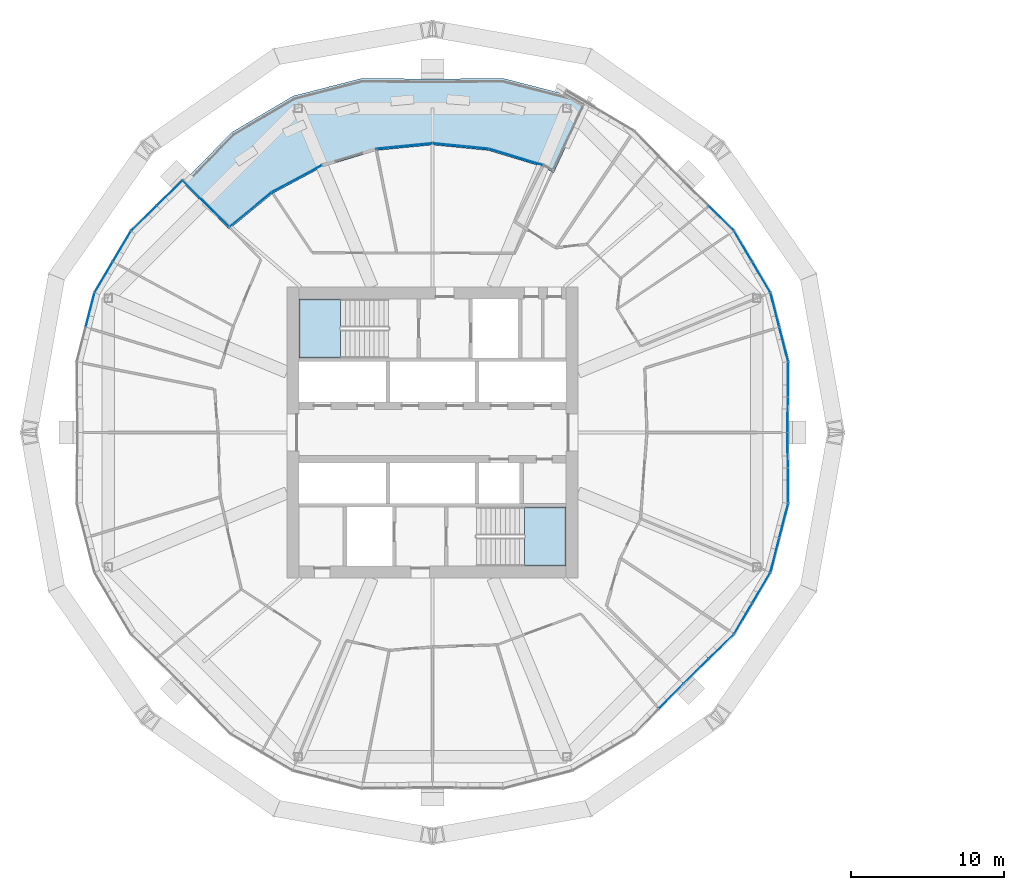
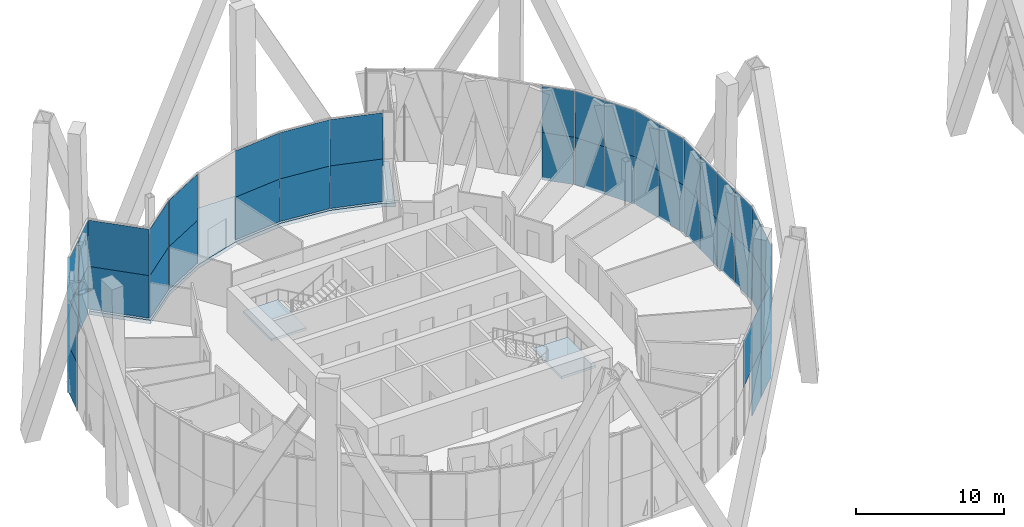
# One storey, part 18 of 31: 53 plates, 3 slabs, 9 elements without a shape of their own.
"""IFC4 building model written with IfcOpenShell, lengths in metres."""

import ifcopenshell
import ifcopenshell.guid

model = None  # the IFC model being written
_history = None  # IfcOwnerHistory: only IFC2X3 demands one
_inside = {}  # id of a spatial element -> (the spatial element, [elements in it])
_under = {}  # id of a project, library or spatial element -> (it, [spatial elements below it])
_declared = {}  # id of a project -> (the project, [libraries it declares])
_typed = {}  # id of a type object -> (the type object, [elements of that type])
_made_of = {}  # id of a material, layer set ... -> (it, [elements and type objects made of it])


def new_model(schema):
    """Start an empty IFC model of exactly this schema.

    Asked for "IFC4X3", IfcOpenShell would pick the latest addendum, in which some entities
    have other attributes; the version numbers below select the first issue.
    IFC2X3 requires an IfcOwnerHistory on every rooted entity: one is made here for all.
    """
    global model, _history
    if schema == "IFC4X3":
        model = ifcopenshell.file(schema_version=(4, 3, 0, 0))
    else:
        model = ifcopenshell.file(schema=schema)
    _inside.clear()
    _under.clear()
    _declared.clear()
    _typed.clear()
    _made_of.clear()
    _history = None
    if model.schema == "IFC2X3":
        org = make("IfcOrganization", Name="unknown")
        user = make(
            "IfcPersonAndOrganization",
            ThePerson=make("IfcPerson", FamilyName="unknown"),
            TheOrganization=org,
        )
        app = make(
            "IfcApplication",
            ApplicationDeveloper=org,
            Version="unknown",
            ApplicationFullName="unknown",
            ApplicationIdentifier="unknown",
        )
        _history = make(
            "IfcOwnerHistory",
            OwningUser=user,
            OwningApplication=app,
            ChangeAction="ADDED",
            CreationDate=0,
        )
    return model


def make(cls, **values):
    """One entity of the class cls with the attributes given. An attribute that is None is left unset."""
    return model.create_entity(
        cls, **{name: value for name, value in values.items() if value is not None}
    )


def rooted(cls, **values):
    """An entity with a GlobalId (a new one), such as an element, a storey or a relation."""
    return make(cls, GlobalId=ifcopenshell.guid.new(), OwnerHistory=_history, **values)


def si_unit(unit_type, name, prefix=None):
    """IfcSIUnit, for example si_unit("LENGTHUNIT", "METRE", prefix="MILLI")."""
    return make("IfcSIUnit", UnitType=unit_type, Prefix=prefix, Name=name)


def assignment(units):
    """IfcUnitAssignment: the units of a project."""
    return None if units is None else make("IfcUnitAssignment", Units=units)


def point(xyz):
    """IfcCartesianPoint."""
    return None if xyz is None else make("IfcCartesianPoint", Coordinates=xyz)


def direction(xyz):
    """IfcDirection."""
    return None if xyz is None else make("IfcDirection", DirectionRatios=xyz)


def frame(location, z_axis=None, x_axis=None):
    """IfcAxis2Placement3D, a coordinate frame: its origin and axes. An axis left out is left unset."""
    return make(
        "IfcAxis2Placement3D",
        Location=point(location),
        Axis=direction(z_axis),
        RefDirection=direction(x_axis),
    )


def frame_2d(location, x_axis=None):
    """IfcAxis2Placement2D, a coordinate frame in the plane: its origin and x axis."""
    return make(
        "IfcAxis2Placement2D", Location=point(location), RefDirection=direction(x_axis)
    )


def origin():
    """The frame at (0, 0, 0) with its axes left unset."""
    return frame((0.0, 0.0, 0.0))


def origin_2d():
    """The frame at (0, 0) in the plane with its x axis left unset."""
    return frame_2d((0.0, 0.0))


def place(relative_to, where):
    """IfcLocalPlacement: puts the frame where relative to a parent placement (None: the world)."""
    return make(
        "IfcLocalPlacement", PlacementRelTo=relative_to, RelativePlacement=where
    )


def context(
    kind, dimensions, precision=None, world=None, true_north=None, identifier=None
):
    """IfcGeometricRepresentationContext, for example the 3D "Model" context."""
    return make(
        "IfcGeometricRepresentationContext",
        ContextIdentifier=identifier,
        ContextType=kind,
        CoordinateSpaceDimension=dimensions,
        Precision=precision,
        WorldCoordinateSystem=world,
        TrueNorth=true_north,
    )


def subcontext(parent, identifier, kind, view, scale=None):
    """IfcGeometricRepresentationSubContext, for example "Body" below "Model"."""
    return make(
        "IfcGeometricRepresentationSubContext",
        ContextIdentifier=identifier,
        ContextType=kind,
        ParentContext=parent,
        TargetScale=scale,
        TargetView=view,
    )


def project(units=None, contexts=None):
    """IfcProject with its units and contexts."""
    return rooted(
        "IfcProject",
        Name="project",
        RepresentationContexts=contexts,
        UnitsInContext=assignment(units),
    )


def spatial(cls, under=None, at=None, **own):
    """A site, building, storey or space (cls), placed at a placement, below another one or the project."""
    s = rooted(cls, ObjectPlacement=at, **own)
    if under is not None:
        _under.setdefault(under.id(), (under, []))[1].append(s)
    return s


def polyline(points):
    """IfcPolyline through the points."""
    return make("IfcPolyline", Points=[point(p) for p in points])


def profile(cls, at=None, kind="AREA", **sizes):
    """A parametric profile (cls). Its sizes go by their IFC names, for example OverallWidth=200.0."""
    return make(cls, ProfileType=kind, Position=at, **sizes)


def rectangle(**sizes):
    """IfcRectangleProfileDef."""
    return profile("IfcRectangleProfileDef", **sizes)


def outline(outer, holes=None, kind="AREA"):
    """IfcArbitraryClosedProfileDef: a profile drawn as a closed curve; with holes, ...WithVoids."""
    if holes is None:
        return make("IfcArbitraryClosedProfileDef", ProfileType=kind, OuterCurve=outer)
    return make(
        "IfcArbitraryProfileDefWithVoids",
        ProfileType=kind,
        OuterCurve=outer,
        InnerCurves=holes,
    )


def extrude(swept, where, along, depth):
    """IfcExtrudedAreaSolid: the profile swept, set in the frame where, extruded along a direction by depth."""
    return make(
        "IfcExtrudedAreaSolid",
        SweptArea=swept,
        Position=where,
        ExtrudedDirection=direction(along),
        Depth=depth,
    )


def shape(context_of_items, identifier, shape_type, items):
    """IfcShapeRepresentation: the items that make up one representation, for example the "Body"."""
    return make(
        "IfcShapeRepresentation",
        ContextOfItems=context_of_items,
        RepresentationIdentifier=identifier,
        RepresentationType=shape_type,
        Items=items,
    )


def material(Name=None, Category=None):
    """IfcMaterial."""
    return make("IfcMaterial", Name=Name, Category=Category)


def layer(
    of_material, thickness, ventilated=None, Name=None, Category=None, Priority=None
):
    """IfcMaterialLayer: one layer of a wall or slab, of a material (None: an air gap)."""
    return make(
        "IfcMaterialLayer",
        Material=of_material,
        LayerThickness=thickness,
        IsVentilated=ventilated,
        Name=Name,
        Category=Category,
        Priority=Priority,
    )


def layer_set(layers, Name=None):
    """IfcMaterialLayerSet."""
    return make("IfcMaterialLayerSet", MaterialLayers=layers, LayerSetName=Name)


def made_of(thing, what):
    """Note that an element or type object is made of a material, layer set ...; save() writes the relation."""
    if what is not None:
        _made_of.setdefault(what.id(), (what, []))[1].append(thing)
    return thing


def type_object(cls, material=None, **own):
    """A type object (cls), such as IfcWallType, which elements share."""
    return made_of(rooted(cls, **own), material)


def element(
    cls,
    number,
    at=None,
    inside=None,
    cuts=None,
    type_object=None,
    material=None,
    context=None,
    identifier="Body",
    shape_type=None,
    held_by="IfcProductDefinitionShape",
    body=None,
    shapes=None,
    **own,
):
    """One element of the class cls, such as IfcWall. Its Tag is "e" and its number.

    at: its placement. inside: the storey or other place that contains it. cuts: it is an
    opening in that element (IfcRelVoidsElement). A single representation is given by context,
    identifier, shape_type and body (its items); several are given by shapes. held_by: the class
    of the entity that holds the representations. save() writes the other relations.
    """
    e = rooted(cls, Tag="e%d" % number, ObjectPlacement=at, **own)
    if body is not None:
        shapes = [shape(context, identifier, shape_type, body)]
    if shapes is not None:
        e.Representation = make(held_by, Representations=shapes)
    if inside is not None:
        _inside.setdefault(inside.id(), (inside, []))[1].append(e)
    if cuts is not None:
        rooted(
            "IfcRelVoidsElement", RelatingBuildingElement=cuts, RelatedOpeningElement=e
        )
    if type_object is not None:
        _typed.setdefault(type_object.id(), (type_object, []))[1].append(e)
    return made_of(e, material)


def aggregate(whole, parts):
    """IfcRelAggregates: a whole, such as a stair, and the parts it consists of."""
    return rooted("IfcRelAggregates", RelatingObject=whole, RelatedObjects=parts)


def save(model, path):
    """Write the relations noted so far, then the file.

    IfcRelAggregates (storeys below a building ...), IfcRelContainedInSpatialStructure (elements
    in a storey), IfcRelDefinesByType, IfcRelAssociatesMaterial and IfcRelDeclares: one each for
    every whole, place, type object, material and project.
    """
    for whole, parts in _under.values():
        aggregate(whole, parts)
    for where, things in _inside.values():
        rooted(
            "IfcRelContainedInSpatialStructure",
            RelatedElements=things,
            RelatingStructure=where,
        )
    for kind, things in _typed.values():
        rooted("IfcRelDefinesByType", RelatedObjects=things, RelatingType=kind)
    for what, things in _made_of.values():
        rooted("IfcRelAssociatesMaterial", RelatedObjects=things, RelatingMaterial=what)
    for by, libraries in _declared.values():
        rooted("IfcRelDeclares", RelatingContext=by, RelatedDefinitions=libraries)
    model.write(path)


model = new_model("IFC4")

# Units and contexts
model_context = context("Model", 3, precision=1e-05, world=origin(), true_north=direction((0.0, 1.0)))
body_context = subcontext(model_context, "Body", "Model", "MODEL_VIEW")
ifc_project = project(units=[si_unit("LENGTHUNIT", "METRE"), si_unit("AREAUNIT", "SQUARE_METRE"), si_unit("VOLUMEUNIT", "CUBIC_METRE"), si_unit("PLANEANGLEUNIT", "RADIAN"), si_unit("MASSUNIT", "GRAM", prefix="KILO")], contexts=[model_context])

# Site, building, storey
site_placement = place(None, origin())
site = spatial("IfcSite", under=ifc_project, at=site_placement, CompositionType="ELEMENT")
building_placement = place(site_placement, origin())
building = spatial("IfcBuilding", under=site, at=building_placement, Name="Ogive Gate Towers", CompositionType="ELEMENT")
storey_placement = place(building_placement, frame((0.0, 0.0, 55.800048828125)))
storey = spatial("IfcBuildingStorey", under=building, at=storey_placement, Name="L12", CompositionType="ELEMENT", Elevation=55.800048828125)

# Curtain wall, plates
ifc_material_1 = material(Name="Pale metal aluminium", Category="aluminium")
curtain_wall_type_1 = type_object("IfcCurtainWallType", Name="Sky garden glazing", PredefinedType="NOTDEFINED", material=ifc_material_1)
curtain_wall_1_placement = place(storey_placement, origin())
curtain_wall_1 = element("IfcCurtainWall", 1, at=curtain_wall_1_placement, inside=storey, type_object=curtain_wall_type_1, Name="CW4 T1 ECW01", PredefinedType="NOTDEFINED")
ifc_material_2 = material(Name="Clear glass", Category="glass")
ifc_layer_1 = layer(ifc_material_2, 0.028076171875)
ifc_layer_set_1 = layer_set([ifc_layer_1], Name="Sky garden glazing glass panel")
plate_type_1 = type_object("IfcPlateType", Name="Sky garden glazing glass panel", PredefinedType="CURTAIN_PANEL", material=ifc_layer_set_1)
plate_1_placement = place(storey_placement, frame((-34.161865234375, 18.679443359375, 0.095947265625), z_axis=(0.0, 0.0, 1.0), x_axis=(0.995184726672, -0.09801714033, 0.0)))
plate_1 = element("IfcPlate", 2, at=plate_1_placement, type_object=plate_type_1, Name="CW4 glass panel", PredefinedType="CURTAIN_PANEL", context=body_context, shape_type="SweptSolid", body=[
    extrude(rectangle(XDim=3.64990234375, YDim=0.028076171875, at=origin_2d()), origin(), (0.0, 0.0, 1.0), 3.50390625),
])
plate_2_placement = place(storey_placement, frame((-34.161865234375, 18.679443359375, 3.60009765625), z_axis=(0.0, 0.0, 1.0), x_axis=(0.995184726672, -0.09801714033, 0.0)))
plate_2 = element("IfcPlate", 3, at=plate_2_placement, type_object=plate_type_1, Name="CW4 glass panel", PredefinedType="CURTAIN_PANEL", context=body_context, shape_type="SweptSolid", body=[
    extrude(rectangle(XDim=3.64990234375, YDim=0.028076171875, at=origin_2d()), origin(), (0.0, 0.0, 1.0), 3.803955078125),
])
plate_3_placement = place(storey_placement, frame((-30.551513671875, 17.96142578125, 0.095947265625), z_axis=(0.0, 0.0, 1.0), x_axis=(0.956940335732, -0.290284677254, 0.0)))
plate_3 = element("IfcPlate", 4, at=plate_3_placement, type_object=plate_type_1, Name="CW4 glass panel", PredefinedType="CURTAIN_PANEL", context=body_context, shape_type="SweptSolid", body=[
    extrude(rectangle(XDim=3.646484375, YDim=0.028076171875, at=origin_2d()), origin(), (0.0, 0.0, 1.0), 3.50390625),
])
plate_4_placement = place(storey_placement, frame((-30.551513671875, 17.96142578125, 3.60009765625), z_axis=(0.0, 0.0, 1.0), x_axis=(0.956940335732, -0.290284677254, 0.0)))
plate_4 = element("IfcPlate", 5, at=plate_4_placement, type_object=plate_type_1, Name="CW4 glass panel", PredefinedType="CURTAIN_PANEL", context=body_context, shape_type="SweptSolid", body=[
    extrude(rectangle(XDim=3.646484375, YDim=0.028076171875, at=origin_2d()), origin(), (0.0, 0.0, 1.0), 3.803955078125),
])
aggregate(curtain_wall_1, [plate_1, plate_2, plate_3, plate_4])

curtain_wall_2_placement = place(storey_placement, origin())
curtain_wall_2 = element("IfcCurtainWall", 6, at=curtain_wall_2_placement, inside=storey, type_object=curtain_wall_type_1, Name="CW4 T1 ECW02", PredefinedType="NOTDEFINED")
plate_5_placement = place(storey_placement, frame((-50.787109375, 14.928466796875, 0.095947265625), z_axis=(0.0, 0.0, 1.0), x_axis=(0.707106781187, -0.707106781187, 0.0)))
plate_5 = element("IfcPlate", 7, at=plate_5_placement, type_object=plate_type_1, Name="CW4 glass panel", PredefinedType="CURTAIN_PANEL", context=body_context, shape_type="SweptSolid", body=[
    extrude(rectangle(XDim=4.249755859375, YDim=0.028076171875, at=origin_2d()), origin(), (0.0, 0.0, 1.0), 3.50390625),
])
plate_6_placement = place(storey_placement, frame((-50.787109375, 14.928466796875, 3.60009765625), z_axis=(0.0, 0.0, 1.0), x_axis=(0.707106781187, -0.707106781187, 0.0)))
plate_6 = element("IfcPlate", 8, at=plate_6_placement, type_object=plate_type_1, Name="CW4 glass panel", PredefinedType="CURTAIN_PANEL", context=body_context, shape_type="SweptSolid", body=[
    extrude(rectangle(XDim=4.249755859375, YDim=0.028076171875, at=origin_2d()), origin(), (0.0, 0.0, 1.0), 3.803955078125),
])
plate_7_placement = place(storey_placement, frame((-47.864013671875, 14.544677734375, 0.095947265625), z_axis=(0.0, 0.0, 1.0), x_axis=(0.773010453363, 0.634393284164, 0.0)))
plate_7 = element("IfcPlate", 9, at=plate_7_placement, type_object=plate_type_1, Name="CW4 glass panel", PredefinedType="CURTAIN_PANEL", context=body_context, shape_type="SweptSolid", body=[
    extrude(rectangle(XDim=3.534912109375, YDim=0.028076171875, at=origin_2d()), origin(), (0.0, 0.0, 1.0), 3.50390625),
])
plate_8_placement = place(storey_placement, frame((-47.864013671875, 14.544677734375, 3.60009765625), z_axis=(0.0, 0.0, 1.0), x_axis=(0.773010453363, 0.634393284164, 0.0)))
plate_8 = element("IfcPlate", 10, at=plate_8_placement, type_object=plate_type_1, Name="CW4 glass panel", PredefinedType="CURTAIN_PANEL", context=body_context, shape_type="SweptSolid", body=[
    extrude(rectangle(XDim=3.534912109375, YDim=0.028076171875, at=origin_2d()), origin(), (0.0, 0.0, 1.0), 3.803955078125),
])
plate_9_placement = place(storey_placement, frame((-44.846435546875, 16.55419921875, 0.095947265625), z_axis=(0.0, 0.0, 1.0), x_axis=(0.881921264348, 0.471396736826, 0.0)))
plate_9 = element("IfcPlate", 11, at=plate_9_placement, type_object=plate_type_1, Name="CW4 glass panel", PredefinedType="CURTAIN_PANEL", context=body_context, shape_type="SweptSolid", body=[
    extrude(rectangle(XDim=3.64990234375, YDim=0.028076171875, at=origin_2d()), origin(), (0.0, 0.0, 1.0), 3.50390625),
])
plate_10_placement = place(storey_placement, frame((-44.846435546875, 16.55419921875, 3.60009765625), z_axis=(0.0, 0.0, 1.0), x_axis=(0.881921264348, 0.471396736826, 0.0)))
plate_10 = element("IfcPlate", 12, at=plate_10_placement, type_object=plate_type_1, Name="CW4 glass panel", PredefinedType="CURTAIN_PANEL", context=body_context, shape_type="SweptSolid", body=[
    extrude(rectangle(XDim=3.64990234375, YDim=0.028076171875, at=origin_2d()), origin(), (0.0, 0.0, 1.0), 3.803955078125),
])
aggregate(curtain_wall_2, [plate_5, plate_6, plate_7, plate_8, plate_9, plate_10])

curtain_wall_3_placement = place(storey_placement, origin())
curtain_wall_3 = element("IfcCurtainWall", 13, at=curtain_wall_3_placement, inside=storey, type_object=curtain_wall_type_1, Name="CW4 T1 ECW02b", PredefinedType="NOTDEFINED")
plate_11_placement = place(storey_placement, frame((-37.839599609375, 18.67919921875, 0.095947265625), z_axis=(0.0, 0.0, 1.0), x_axis=(0.995184726672, 0.09801714033, 0.0)))
plate_11 = element("IfcPlate", 14, at=plate_11_placement, type_object=plate_type_1, Name="CW4 glass panel", PredefinedType="CURTAIN_PANEL", context=body_context, shape_type="SweptSolid", body=[
    extrude(rectangle(XDim=3.6533203125, YDim=0.028076171875, at=origin_2d()), origin(), (0.0, 0.0, 1.0), 3.50390625),
])
plate_12_placement = place(storey_placement, frame((-37.839599609375, 18.67919921875, 3.60009765625), z_axis=(0.0, 0.0, 1.0), x_axis=(0.995184726672, 0.09801714033, 0.0)))
plate_12 = element("IfcPlate", 15, at=plate_12_placement, type_object=plate_type_1, Name="CW4 glass panel", PredefinedType="CURTAIN_PANEL", context=body_context, shape_type="SweptSolid", body=[
    extrude(rectangle(XDim=3.6533203125, YDim=0.028076171875, at=origin_2d()), origin(), (0.0, 0.0, 1.0), 3.803955078125),
])
aggregate(curtain_wall_3, [plate_11, plate_12])

# Stair, slab
ifc_material_3 = material(Name="Concrete C40/50", Category="concrete")
stair_type = type_object("IfcStairType", Name="Escape stair 1840 wide", PredefinedType="HALF_TURN_STAIR", material=ifc_material_3)
stair_1_placement = place(storey_placement, origin())
stair_1 = element("IfcStair", 16, at=stair_1_placement, inside=storey, type_object=stair_type, Name="L12 Escape stair 1", PredefinedType="HALF_TURN_STAIR")
ifc_layer_2 = layer(ifc_material_3, 0.199951171875)
ifc_layer_set_2 = layer_set([ifc_layer_2], Name="Stair landing 200 mm")
slab_type_1 = type_object("IfcSlabType", Name="Stair landing 200 mm", PredefinedType="LANDING", material=ifc_layer_set_2)
slab_1_placement = place(storey_placement, frame((0.0, 0.0, 1.75)))
slab_1 = element("IfcSlab", 17, at=slab_1_placement, type_object=slab_type_1, Name="ST1 landing 1", PredefinedType="LANDING", context=body_context, shape_type="SweptSolid", body=[
    extrude(outline(polyline([(-42.00146484375, 8.699951171875), (-44.699951171875, 8.699951171875), (-44.699951171875, 4.875), (-42.00146484375, 4.875), (-42.00146484375, 8.699951171875)])), origin(), (0.0, 0.0, 1.0), 0.199951171875),
])
aggregate(stair_1, [slab_1])

stair_2_placement = place(storey_placement, origin())
stair_2 = element("IfcStair", 18, at=stair_2_placement, inside=storey, type_object=stair_type, Name="L12 Escape stair 2", PredefinedType="HALF_TURN_STAIR")
slab_2_placement = place(storey_placement, frame((0.0, 0.0, 1.75)))
slab_2 = element("IfcSlab", 19, at=slab_2_placement, type_object=slab_type_1, Name="ST2 landing 1", PredefinedType="LANDING", context=body_context, shape_type="SweptSolid", body=[
    extrude(outline(polyline([(-29.99853515625, -8.699951171875), (-27.300048828125, -8.699951171875), (-27.300048828125, -4.875), (-29.99853515625, -4.875), (-29.99853515625, -8.699951171875)])), origin(), (0.0, 0.0, 1.0), 0.199951171875),
])
aggregate(stair_2, [slab_2])

# Slab
ifc_material_4 = material(Name="Concrete C35/45", Category="concrete")
ifc_layer_3 = layer(ifc_material_4, 0.300048828125)
ifc_layer_set_3 = layer_set([ifc_layer_3], Name="Terrace slab 300")
slab_type_2 = type_object("IfcSlabType", Name="Terrace slab 300", PredefinedType="FLOOR", material=ifc_layer_set_3)
slab_3_placement = place(storey_placement, frame((0.0, 0.0, -0.300048828125)))
element("IfcSlab", 20, at=slab_3_placement, inside=storey, type_object=slab_type_2, Name="T1/L12/SSL002", PredefinedType="FLOOR", context=body_context, shape_type="SweptSolid", body=[
    extrude(outline(polyline([(-28.09814453125, 16.945556640625), (-26.010986328125, 21.421630859375), (-26.907470703125, 21.951416015625), (-31.403564453125, 23.107421875), (-36.0, 23.06005859375), (-40.596435546875, 23.107421875), (-45.092529296875, 21.951416015625), (-49.08935546875, 19.58935546875), (-52.305908203125, 16.305908203125), (-49.265380859375, 13.265380859375), (-46.422607421875, 15.598388671875), (-43.17919921875, 17.33203125), (-39.659912109375, 18.3994140625), (-36.0, 18.760009765625), (-32.340087890625, 18.3994140625), (-28.82080078125, 17.33203125), (-28.09814453125, 16.945556640625)])), origin(), (0.0, 0.0, 1.0), 0.300048828125),
])

# Curtain wall, plates
curtain_wall_type_2 = type_object("IfcCurtainWallType", Name="Tower unitised wall, low zone", PredefinedType="NOTDEFINED", material=ifc_material_1)
curtain_wall_4_placement = place(storey_placement, origin())
curtain_wall_4 = element("IfcCurtainWall", 21, at=curtain_wall_4_placement, inside=storey, type_object=curtain_wall_type_2, Name="CW1 T1 ECW03", PredefinedType="NOTDEFINED")
ifc_layer_4 = layer(ifc_material_2, 0.028076171875)
ifc_layer_set_4 = layer_set([ifc_layer_4], Name="Tower unitised wall, low zone glass panel")
plate_type_2 = type_object("IfcPlateType", Name="Tower unitised wall, low zone glass panel", PredefinedType="CURTAIN_PANEL", material=ifc_layer_set_4)
plate_13_placement = place(storey_placement, frame((-17.155517578125, 13.958984375, -0.300048828125), z_axis=(0.0, 0.0, 1.0), x_axis=(0.714362767958, -0.699775560987, 0.0)))
plate_13 = element("IfcPlate", 22, at=plate_13_placement, type_object=plate_type_2, Name="CW1 glass panel", PredefinedType="CURTAIN_PANEL", context=body_context, shape_type="SweptSolid", body=[
    extrude(rectangle(XDim=2.24658203125, YDim=0.028076171875, at=origin_2d()), origin(), (0.0, 0.0, 1.0), 3.89990234375),
])
plate_14_placement = place(storey_placement, frame((-17.155517578125, 13.958984375, 3.60009765625), z_axis=(0.0, 0.0, 1.0), x_axis=(0.714362767958, -0.699775560987, 0.0)))
plate_14 = element("IfcPlate", 23, at=plate_14_placement, type_object=plate_type_2, Name="CW1 glass panel", PredefinedType="CURTAIN_PANEL", context=body_context, shape_type="SweptSolid", body=[
    extrude(rectangle(XDim=2.24658203125, YDim=0.028076171875, at=origin_2d()), origin(), (0.0, 0.0, 1.0), 3.803955078125),
])
plate_15_placement = place(storey_placement, frame((-15.736083984375, 12.144775390625, -0.300048828125), z_axis=(0.0, 0.0, 1.0), x_axis=(0.508770980552, -0.860901904603, 0.0)))
plate_15 = element("IfcPlate", 24, at=plate_15_placement, type_object=plate_type_2, Name="CW1 glass panel", PredefinedType="CURTAIN_PANEL", context=body_context, shape_type="SweptSolid", body=[
    extrude(rectangle(XDim=2.277099609375, YDim=0.028076171875, at=origin_2d()), origin(), (0.0, 0.0, 1.0), 3.89990234375),
])
plate_16_placement = place(storey_placement, frame((-15.736083984375, 12.144775390625, 3.60009765625), z_axis=(0.0, 0.0, 1.0), x_axis=(0.508770980552, -0.860901904603, 0.0)))
plate_16 = element("IfcPlate", 25, at=plate_16_placement, type_object=plate_type_2, Name="CW1 glass panel", PredefinedType="CURTAIN_PANEL", context=body_context, shape_type="SweptSolid", body=[
    extrude(rectangle(XDim=2.277099609375, YDim=0.028076171875, at=origin_2d()), origin(), (0.0, 0.0, 1.0), 3.803955078125),
])
plate_17_placement = place(storey_placement, frame((-14.55029296875, 10.137939453125, -0.300048828125), z_axis=(0.0, 0.0, 1.0), x_axis=(0.508770980552, -0.860901904603, 0.0)))
plate_17 = element("IfcPlate", 26, at=plate_17_placement, type_object=plate_type_2, Name="CW1 glass panel", PredefinedType="CURTAIN_PANEL", context=body_context, shape_type="SweptSolid", body=[
    extrude(rectangle(XDim=2.27685546875, YDim=0.028076171875, at=origin_2d()), origin(), (0.0, 0.0, 1.0), 3.89990234375),
])
plate_18_placement = place(storey_placement, frame((-14.55029296875, 10.137939453125, 3.60009765625), z_axis=(0.0, 0.0, 1.0), x_axis=(0.508770980552, -0.860901904603, 0.0)))
plate_18 = element("IfcPlate", 27, at=plate_18_placement, type_object=plate_type_2, Name="CW1 glass panel", PredefinedType="CURTAIN_PANEL", context=body_context, shape_type="SweptSolid", body=[
    extrude(rectangle(XDim=2.27685546875, YDim=0.028076171875, at=origin_2d()), origin(), (0.0, 0.0, 1.0), 3.803955078125),
])
plate_19_placement = place(storey_placement, frame((-13.6640625, 7.99853515625, -0.300048828125), z_axis=(0.0, 0.0, 1.0), x_axis=(0.248994164262, -0.9685049851, 0.0)))
plate_19 = element("IfcPlate", 28, at=plate_19_placement, type_object=plate_type_2, Name="CW1 glass panel", PredefinedType="CURTAIN_PANEL", context=body_context, shape_type="SweptSolid", body=[
    extrude(rectangle(XDim=2.277099609375, YDim=0.028076171875, at=origin_2d()), origin(), (0.0, 0.0, 1.0), 3.89990234375),
])
plate_20_placement = place(storey_placement, frame((-13.6640625, 7.99853515625, 3.60009765625), z_axis=(0.0, 0.0, 1.0), x_axis=(0.248994164262, -0.9685049851, 0.0)))
plate_20 = element("IfcPlate", 29, at=plate_20_placement, type_object=plate_type_2, Name="CW1 glass panel", PredefinedType="CURTAIN_PANEL", context=body_context, shape_type="SweptSolid", body=[
    extrude(rectangle(XDim=2.277099609375, YDim=0.028076171875, at=origin_2d()), origin(), (0.0, 0.0, 1.0), 3.803955078125),
])
plate_21_placement = place(storey_placement, frame((-13.083740234375, 5.740966796875, -0.300048828125), z_axis=(0.0, 0.0, 1.0), x_axis=(0.248977260623, -0.96850933072, 0.0)))
plate_21 = element("IfcPlate", 30, at=plate_21_placement, type_object=plate_type_2, Name="CW1 glass panel", PredefinedType="CURTAIN_PANEL", context=body_context, shape_type="SweptSolid", body=[
    extrude(rectangle(XDim=2.277099609375, YDim=0.028076171875, at=origin_2d()), origin(), (0.0, 0.0, 1.0), 3.89990234375),
])
plate_22_placement = place(storey_placement, frame((-13.083740234375, 5.740966796875, 3.60009765625), z_axis=(0.0, 0.0, 1.0), x_axis=(0.248977260623, -0.96850933072, 0.0)))
plate_22 = element("IfcPlate", 31, at=plate_22_placement, type_object=plate_type_2, Name="CW1 glass panel", PredefinedType="CURTAIN_PANEL", context=body_context, shape_type="SweptSolid", body=[
    extrude(rectangle(XDim=2.277099609375, YDim=0.028076171875, at=origin_2d()), origin(), (0.0, 0.0, 1.0), 3.803955078125),
])
plate_23_placement = place(storey_placement, frame((-12.804443359375, 3.454345703125, -0.300048828125), z_axis=(0.0, 0.0, 1.0), x_axis=(-0.010279808233, -0.999947161375, 0.0)))
plate_23 = element("IfcPlate", 32, at=plate_23_placement, type_object=plate_type_2, Name="CW1 glass panel", PredefinedType="CURTAIN_PANEL", context=body_context, shape_type="SweptSolid", body=[
    extrude(rectangle(XDim=2.24658203125, YDim=0.028076171875, at=origin_2d()), origin(), (0.0, 0.0, 1.0), 3.89990234375),
])
plate_24_placement = place(storey_placement, frame((-12.804443359375, 3.454345703125, 3.60009765625), z_axis=(0.0, 0.0, 1.0), x_axis=(-0.010279808233, -0.999947161375, 0.0)))
plate_24 = element("IfcPlate", 33, at=plate_24_placement, type_object=plate_type_2, Name="CW1 glass panel", PredefinedType="CURTAIN_PANEL", context=body_context, shape_type="SweptSolid", body=[
    extrude(rectangle(XDim=2.24658203125, YDim=0.028076171875, at=origin_2d()), origin(), (0.0, 0.0, 1.0), 3.803955078125),
])
plate_25_placement = place(storey_placement, frame((-12.828125, 1.152099609375, -0.300048828125), z_axis=(0.0, 0.0, 1.0), x_axis=(-0.010279808233, -0.999947161375, 0.0)))
plate_25 = element("IfcPlate", 34, at=plate_25_placement, type_object=plate_type_2, Name="CW1 glass panel", PredefinedType="CURTAIN_PANEL", context=body_context, shape_type="SweptSolid", body=[
    extrude(rectangle(XDim=2.250244140625, YDim=0.028076171875, at=origin_2d()), origin(), (0.0, 0.0, 1.0), 3.89990234375),
])
plate_26_placement = place(storey_placement, frame((-12.828125, 1.152099609375, 3.60009765625), z_axis=(0.0, 0.0, 1.0), x_axis=(-0.010279808233, -0.999947161375, 0.0)))
plate_26 = element("IfcPlate", 35, at=plate_26_placement, type_object=plate_type_2, Name="CW1 glass panel", PredefinedType="CURTAIN_PANEL", context=body_context, shape_type="SweptSolid", body=[
    extrude(rectangle(XDim=2.250244140625, YDim=0.028076171875, at=origin_2d()), origin(), (0.0, 0.0, 1.0), 3.803955078125),
])
aggregate(curtain_wall_4, [plate_13, plate_14, plate_15, plate_16, plate_17, plate_18, plate_19, plate_20, plate_21, plate_22, plate_23, plate_24, plate_25, plate_26])

curtain_wall_5_placement = place(storey_placement, origin())
curtain_wall_5 = element("IfcCurtainWall", 36, at=curtain_wall_5_placement, inside=storey, type_object=curtain_wall_type_2, Name="CW1 T1 ECW05", PredefinedType="NOTDEFINED")
plate_27_placement = place(storey_placement, frame((-58.3359375, 7.99853515625, -0.300048828125), z_axis=(0.0, 0.0, 1.0), x_axis=(0.248994164262, 0.9685049851, 0.0)))
plate_27 = element("IfcPlate", 37, at=plate_27_placement, type_object=plate_type_2, Name="CW1 glass panel", PredefinedType="CURTAIN_PANEL", context=body_context, shape_type="SweptSolid", body=[
    extrude(rectangle(XDim=2.277099609375, YDim=0.028076171875, at=origin_2d()), origin(), (0.0, 0.0, 1.0), 3.89990234375),
])
plate_28_placement = place(storey_placement, frame((-58.3359375, 7.99853515625, 3.60009765625), z_axis=(0.0, 0.0, 1.0), x_axis=(0.248994164262, 0.9685049851, 0.0)))
plate_28 = element("IfcPlate", 38, at=plate_28_placement, type_object=plate_type_2, Name="CW1 glass panel", PredefinedType="CURTAIN_PANEL", context=body_context, shape_type="SweptSolid", body=[
    extrude(rectangle(XDim=2.277099609375, YDim=0.028076171875, at=origin_2d()), origin(), (0.0, 0.0, 1.0), 3.803955078125),
])
plate_29_placement = place(storey_placement, frame((-57.44970703125, 10.137939453125, -0.300048828125), z_axis=(0.0, 0.0, 1.0), x_axis=(0.508770980552, 0.860901904603, 0.0)))
plate_29 = element("IfcPlate", 39, at=plate_29_placement, type_object=plate_type_2, Name="CW1 glass panel", PredefinedType="CURTAIN_PANEL", context=body_context, shape_type="SweptSolid", body=[
    extrude(rectangle(XDim=2.27685546875, YDim=0.028076171875, at=origin_2d()), origin(), (0.0, 0.0, 1.0), 3.89990234375),
])
plate_30_placement = place(storey_placement, frame((-57.44970703125, 10.137939453125, 3.60009765625), z_axis=(0.0, 0.0, 1.0), x_axis=(0.508770980552, 0.860901904603, 0.0)))
plate_30 = element("IfcPlate", 40, at=plate_30_placement, type_object=plate_type_2, Name="CW1 glass panel", PredefinedType="CURTAIN_PANEL", context=body_context, shape_type="SweptSolid", body=[
    extrude(rectangle(XDim=2.27685546875, YDim=0.028076171875, at=origin_2d()), origin(), (0.0, 0.0, 1.0), 3.803955078125),
])
plate_31_placement = place(storey_placement, frame((-56.263916015625, 12.144775390625, -0.300048828125), z_axis=(0.0, 0.0, 1.0), x_axis=(0.508770980552, 0.860901904603, 0.0)))
plate_31 = element("IfcPlate", 41, at=plate_31_placement, type_object=plate_type_2, Name="CW1 glass panel", PredefinedType="CURTAIN_PANEL", context=body_context, shape_type="SweptSolid", body=[
    extrude(rectangle(XDim=2.277099609375, YDim=0.028076171875, at=origin_2d()), origin(), (0.0, 0.0, 1.0), 3.89990234375),
])
plate_32_placement = place(storey_placement, frame((-56.263916015625, 12.144775390625, 3.60009765625), z_axis=(0.0, 0.0, 1.0), x_axis=(0.508770980552, 0.860901904603, 0.0)))
plate_32 = element("IfcPlate", 42, at=plate_32_placement, type_object=plate_type_2, Name="CW1 glass panel", PredefinedType="CURTAIN_PANEL", context=body_context, shape_type="SweptSolid", body=[
    extrude(rectangle(XDim=2.277099609375, YDim=0.028076171875, at=origin_2d()), origin(), (0.0, 0.0, 1.0), 3.803955078125),
])
plate_33_placement = place(storey_placement, frame((-54.826416015625, 13.9765625, -0.300048828125), z_axis=(0.0, 0.0, 1.0), x_axis=(0.714350554462, 0.699788028863, 0.0)))
plate_33 = element("IfcPlate", 43, at=plate_33_placement, type_object=plate_type_2, Name="CW1 glass panel", PredefinedType="CURTAIN_PANEL", context=body_context, shape_type="SweptSolid", body=[
    extrude(rectangle(XDim=2.29638671875, YDim=0.028076171875, at=origin_2d()), origin(), (0.0, 0.0, 1.0), 3.89990234375),
])
plate_34_placement = place(storey_placement, frame((-54.826416015625, 13.9765625, 3.60009765625), z_axis=(0.0, 0.0, 1.0), x_axis=(0.714350554462, 0.699788028863, 0.0)))
plate_34 = element("IfcPlate", 44, at=plate_34_placement, type_object=plate_type_2, Name="CW1 glass panel", PredefinedType="CURTAIN_PANEL", context=body_context, shape_type="SweptSolid", body=[
    extrude(rectangle(XDim=2.29638671875, YDim=0.028076171875, at=origin_2d()), origin(), (0.0, 0.0, 1.0), 3.803955078125),
])
plate_35_placement = place(storey_placement, frame((-53.14599609375, 15.622802734375, -0.300048828125), z_axis=(0.0, 0.0, 1.0), x_axis=(0.714338340748, 0.699800496526, 0.0)))
plate_35 = element("IfcPlate", 45, at=plate_35_placement, type_object=plate_type_2, Name="CW1 glass panel", PredefinedType="CURTAIN_PANEL", context=body_context, shape_type="SweptSolid", body=[
    extrude(rectangle(XDim=2.30029296875, YDim=0.028076171875, at=origin_2d()), origin(), (0.0, 0.0, 1.0), 3.89990234375),
])
plate_36_placement = place(storey_placement, frame((-53.14599609375, 15.622802734375, 3.60009765625), z_axis=(0.0, 0.0, 1.0), x_axis=(0.714338340748, 0.699800496526, 0.0)))
plate_36 = element("IfcPlate", 46, at=plate_36_placement, type_object=plate_type_2, Name="CW1 glass panel", PredefinedType="CURTAIN_PANEL", context=body_context, shape_type="SweptSolid", body=[
    extrude(rectangle(XDim=2.30029296875, YDim=0.028076171875, at=origin_2d()), origin(), (0.0, 0.0, 1.0), 3.803955078125),
])
aggregate(curtain_wall_5, [plate_27, plate_28, plate_29, plate_30, plate_31, plate_32, plate_33, plate_34, plate_35, plate_36])

# Curtain wall, plate
curtain_wall_6_placement = place(storey_placement, origin())
curtain_wall_6 = element("IfcCurtainWall", 47, at=curtain_wall_6_placement, inside=storey, type_object=curtain_wall_type_2, Name="CW1 T1 ECW08", PredefinedType="NOTDEFINED")
plate_37_placement = place(storey_placement, frame((-20.4296875, -17.19970703125, 3.60009765625), z_axis=(0.0, 0.0, 1.0), x_axis=(-0.699800496526, -0.714338340748, 0.0)))
plate_37 = element("IfcPlate", 48, at=plate_37_placement, type_object=plate_type_2, Name="CW1 glass panel", PredefinedType="CURTAIN_PANEL", context=body_context, shape_type="SweptSolid", body=[
    extrude(rectangle(XDim=2.25048828125, YDim=0.028076171875, at=origin_2d()), origin(), (0.0, 0.0, 1.0), 3.803955078125),
])
aggregate(curtain_wall_6, [plate_37])

# Curtain wall, plates
curtain_wall_7_placement = place(storey_placement, origin())
curtain_wall_7 = element("IfcCurtainWall", 49, at=curtain_wall_7_placement, inside=storey, type_object=curtain_wall_type_2, Name="CW1 T1 ECW09", PredefinedType="NOTDEFINED")
plate_38_placement = place(storey_placement, frame((-12.828125, -1.152099609375, -0.300048828125), z_axis=(0.0, 0.0, 1.0), x_axis=(0.010279808233, -0.999947161375, 0.0)))
plate_38 = element("IfcPlate", 50, at=plate_38_placement, type_object=plate_type_2, Name="CW1 glass panel", PredefinedType="CURTAIN_PANEL", context=body_context, shape_type="SweptSolid", body=[
    extrude(rectangle(XDim=2.250244140625, YDim=0.028076171875, at=origin_2d()), origin(), (0.0, 0.0, 1.0), 3.89990234375),
])
plate_39_placement = place(storey_placement, frame((-12.828125, -1.152099609375, 3.60009765625), z_axis=(0.0, 0.0, 1.0), x_axis=(0.010279808233, -0.999947161375, 0.0)))
plate_39 = element("IfcPlate", 51, at=plate_39_placement, type_object=plate_type_2, Name="CW1 glass panel", PredefinedType="CURTAIN_PANEL", context=body_context, shape_type="SweptSolid", body=[
    extrude(rectangle(XDim=2.250244140625, YDim=0.028076171875, at=origin_2d()), origin(), (0.0, 0.0, 1.0), 3.803955078125),
])
plate_40_placement = place(storey_placement, frame((-12.804443359375, -3.454345703125, -0.300048828125), z_axis=(0.0, 0.0, 1.0), x_axis=(0.010279808233, -0.999947161375, 0.0)))
plate_40 = element("IfcPlate", 52, at=plate_40_placement, type_object=plate_type_2, Name="CW1 glass panel", PredefinedType="CURTAIN_PANEL", context=body_context, shape_type="SweptSolid", body=[
    extrude(rectangle(XDim=2.24658203125, YDim=0.028076171875, at=origin_2d()), origin(), (0.0, 0.0, 1.0), 3.89990234375),
])
plate_41_placement = place(storey_placement, frame((-12.804443359375, -3.454345703125, 3.60009765625), z_axis=(0.0, 0.0, 1.0), x_axis=(0.010279808233, -0.999947161375, 0.0)))
plate_41 = element("IfcPlate", 53, at=plate_41_placement, type_object=plate_type_2, Name="CW1 glass panel", PredefinedType="CURTAIN_PANEL", context=body_context, shape_type="SweptSolid", body=[
    extrude(rectangle(XDim=2.24658203125, YDim=0.028076171875, at=origin_2d()), origin(), (0.0, 0.0, 1.0), 3.803955078125),
])
plate_42_placement = place(storey_placement, frame((-13.083740234375, -5.740966796875, -0.300048828125), z_axis=(0.0, 0.0, 1.0), x_axis=(-0.248977260623, -0.96850933072, 0.0)))
plate_42 = element("IfcPlate", 54, at=plate_42_placement, type_object=plate_type_2, Name="CW1 glass panel", PredefinedType="CURTAIN_PANEL", context=body_context, shape_type="SweptSolid", body=[
    extrude(rectangle(XDim=2.277099609375, YDim=0.028076171875, at=origin_2d()), origin(), (0.0, 0.0, 1.0), 3.89990234375),
])
plate_43_placement = place(storey_placement, frame((-13.083740234375, -5.740966796875, 3.60009765625), z_axis=(0.0, 0.0, 1.0), x_axis=(-0.248977260623, -0.96850933072, 0.0)))
plate_43 = element("IfcPlate", 55, at=plate_43_placement, type_object=plate_type_2, Name="CW1 glass panel", PredefinedType="CURTAIN_PANEL", context=body_context, shape_type="SweptSolid", body=[
    extrude(rectangle(XDim=2.277099609375, YDim=0.028076171875, at=origin_2d()), origin(), (0.0, 0.0, 1.0), 3.803955078125),
])
plate_44_placement = place(storey_placement, frame((-13.6640625, -7.99853515625, -0.300048828125), z_axis=(0.0, 0.0, 1.0), x_axis=(-0.248994164262, -0.9685049851, 0.0)))
plate_44 = element("IfcPlate", 56, at=plate_44_placement, type_object=plate_type_2, Name="CW1 glass panel", PredefinedType="CURTAIN_PANEL", context=body_context, shape_type="SweptSolid", body=[
    extrude(rectangle(XDim=2.277099609375, YDim=0.028076171875, at=origin_2d()), origin(), (0.0, 0.0, 1.0), 3.89990234375),
])
plate_45_placement = place(storey_placement, frame((-13.6640625, -7.99853515625, 3.60009765625), z_axis=(0.0, 0.0, 1.0), x_axis=(-0.248994164262, -0.9685049851, 0.0)))
plate_45 = element("IfcPlate", 57, at=plate_45_placement, type_object=plate_type_2, Name="CW1 glass panel", PredefinedType="CURTAIN_PANEL", context=body_context, shape_type="SweptSolid", body=[
    extrude(rectangle(XDim=2.277099609375, YDim=0.028076171875, at=origin_2d()), origin(), (0.0, 0.0, 1.0), 3.803955078125),
])
plate_46_placement = place(storey_placement, frame((-14.55029296875, -10.137939453125, -0.300048828125), z_axis=(0.0, 0.0, 1.0), x_axis=(-0.508770980552, -0.860901904603, 0.0)))
plate_46 = element("IfcPlate", 58, at=plate_46_placement, type_object=plate_type_2, Name="CW1 glass panel", PredefinedType="CURTAIN_PANEL", context=body_context, shape_type="SweptSolid", body=[
    extrude(rectangle(XDim=2.27685546875, YDim=0.028076171875, at=origin_2d()), origin(), (0.0, 0.0, 1.0), 3.89990234375),
])
plate_47_placement = place(storey_placement, frame((-14.55029296875, -10.137939453125, 3.60009765625), z_axis=(0.0, 0.0, 1.0), x_axis=(-0.508770980552, -0.860901904603, 0.0)))
plate_47 = element("IfcPlate", 59, at=plate_47_placement, type_object=plate_type_2, Name="CW1 glass panel", PredefinedType="CURTAIN_PANEL", context=body_context, shape_type="SweptSolid", body=[
    extrude(rectangle(XDim=2.27685546875, YDim=0.028076171875, at=origin_2d()), origin(), (0.0, 0.0, 1.0), 3.803955078125),
])
plate_48_placement = place(storey_placement, frame((-15.736083984375, -12.144775390625, -0.300048828125), z_axis=(0.0, 0.0, 1.0), x_axis=(-0.508770980552, -0.860901904603, 0.0)))
plate_48 = element("IfcPlate", 60, at=plate_48_placement, type_object=plate_type_2, Name="CW1 glass panel", PredefinedType="CURTAIN_PANEL", context=body_context, shape_type="SweptSolid", body=[
    extrude(rectangle(XDim=2.277099609375, YDim=0.028076171875, at=origin_2d()), origin(), (0.0, 0.0, 1.0), 3.89990234375),
])
plate_49_placement = place(storey_placement, frame((-15.736083984375, -12.144775390625, 3.60009765625), z_axis=(0.0, 0.0, 1.0), x_axis=(-0.508770980552, -0.860901904603, 0.0)))
plate_49 = element("IfcPlate", 61, at=plate_49_placement, type_object=plate_type_2, Name="CW1 glass panel", PredefinedType="CURTAIN_PANEL", context=body_context, shape_type="SweptSolid", body=[
    extrude(rectangle(XDim=2.277099609375, YDim=0.028076171875, at=origin_2d()), origin(), (0.0, 0.0, 1.0), 3.803955078125),
])
plate_50_placement = place(storey_placement, frame((-17.155517578125, -13.958984375, -0.300048828125), z_axis=(0.0, 0.0, 1.0), x_axis=(-0.714362767958, -0.699775560987, 0.0)))
plate_50 = element("IfcPlate", 62, at=plate_50_placement, type_object=plate_type_2, Name="CW1 glass panel", PredefinedType="CURTAIN_PANEL", context=body_context, shape_type="SweptSolid", body=[
    extrude(rectangle(XDim=2.24658203125, YDim=0.028076171875, at=origin_2d()), origin(), (0.0, 0.0, 1.0), 3.89990234375),
])
plate_51_placement = place(storey_placement, frame((-17.155517578125, -13.958984375, 3.60009765625), z_axis=(0.0, 0.0, 1.0), x_axis=(-0.714362767958, -0.699775560987, 0.0)))
plate_51 = element("IfcPlate", 63, at=plate_51_placement, type_object=plate_type_2, Name="CW1 glass panel", PredefinedType="CURTAIN_PANEL", context=body_context, shape_type="SweptSolid", body=[
    extrude(rectangle(XDim=2.24658203125, YDim=0.028076171875, at=origin_2d()), origin(), (0.0, 0.0, 1.0), 3.803955078125),
])
plate_52_placement = place(storey_placement, frame((-18.80029296875, -15.5703125, -0.300048828125), z_axis=(0.0, 0.0, 1.0), x_axis=(-0.714338340748, -0.699800496526, 0.0)))
plate_52 = element("IfcPlate", 64, at=plate_52_placement, type_object=plate_type_2, Name="CW1 glass panel", PredefinedType="CURTAIN_PANEL", context=body_context, shape_type="SweptSolid", body=[
    extrude(rectangle(XDim=2.25048828125, YDim=0.028076171875, at=origin_2d()), origin(), (0.0, 0.0, 1.0), 3.89990234375),
])
plate_53_placement = place(storey_placement, frame((-18.80029296875, -15.5703125, 3.60009765625), z_axis=(0.0, 0.0, 1.0), x_axis=(-0.714338340748, -0.699800496526, 0.0)))
plate_53 = element("IfcPlate", 65, at=plate_53_placement, type_object=plate_type_2, Name="CW1 glass panel", PredefinedType="CURTAIN_PANEL", context=body_context, shape_type="SweptSolid", body=[
    extrude(rectangle(XDim=2.25048828125, YDim=0.028076171875, at=origin_2d()), origin(), (0.0, 0.0, 1.0), 3.803955078125),
])
aggregate(curtain_wall_7, [plate_38, plate_39, plate_40, plate_41, plate_42, plate_43, plate_44, plate_45, plate_46, plate_47, plate_48, plate_49, plate_50, plate_51, plate_52, plate_53])

save(model, "model.ifc")
